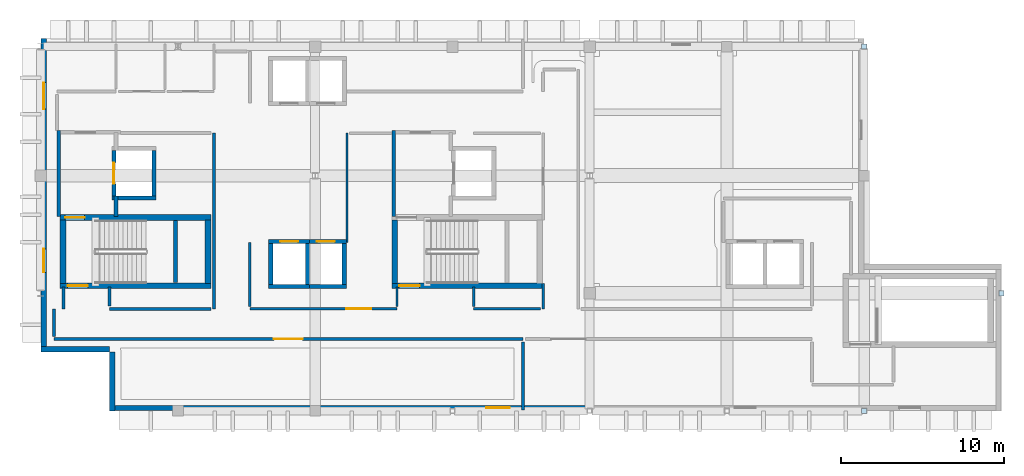
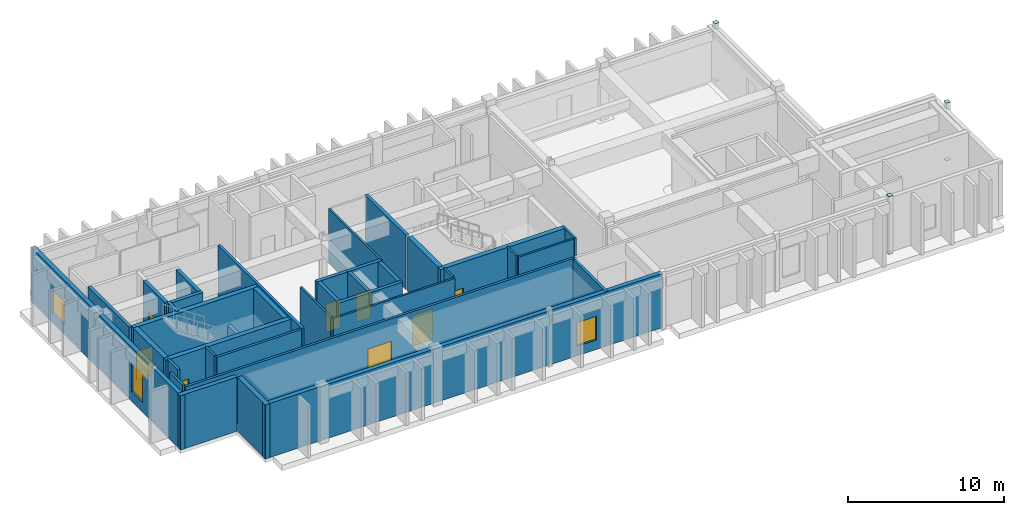
# One storey, part 4 of 8: 38 walls, 8 doors, 6 plates, 3 windows, 11 openings.
"""IFC4 building model written with IfcOpenShell, lengths in metres."""

from ifc_helpers import new_model, si_unit, direction, frame, frame_2d, origin, origin_2d, place, context, subcontext, project, spatial, rectangle, extrude, material, layer, layer_set, type_object, element, fill, save


model = new_model("IFC4")

# Units and contexts
model_context = context("Model", 3, precision=1e-05, world=origin(), true_north=direction((0.0, 1.0)))
body_context = subcontext(model_context, "Body", "Model", "MODEL_VIEW")
ifc_project = project(units=[si_unit("LENGTHUNIT", "METRE"), si_unit("AREAUNIT", "SQUARE_METRE"), si_unit("VOLUMEUNIT", "CUBIC_METRE"), si_unit("PLANEANGLEUNIT", "RADIAN"), si_unit("MASSUNIT", "GRAM", prefix="KILO")], contexts=[model_context])

# Site, building, storey
site_placement = place(None, origin())
site = spatial("IfcSite", under=ifc_project, at=site_placement, CompositionType="ELEMENT")
building_placement = place(site_placement, origin())
building = spatial("IfcBuilding", under=site, at=building_placement, Name="Quendrovan Civic Courthouse", CompositionType="ELEMENT")
storey_placement = place(building_placement, frame((0.0, 0.0, 35.699951171875)))
storey = spatial("IfcBuildingStorey", under=building, at=storey_placement, Name="L08", CompositionType="ELEMENT", Elevation=35.699951171875)

# Plates
ifc_material_1 = material(Name="Steel ASTM A572 Grade 50", Category="steel")
ifc_layer_1 = layer(ifc_material_1, 0.011962890625, Name="Steel ASTM A572 Grade 50")
ifc_layer_set_1 = layer_set([ifc_layer_1], Name="Steel ASTM A572 Grade 50")
plate_type = type_object("IfcPlateType", Name="PLT-CAP-12", PredefinedType="SHEET", material=ifc_layer_set_1)
for number, where, z_axis, x_axis, name in (
    (1, (84.0, 87.60009765625, 4.5), (0.0, 0.0, 1.0), (1.0, 0.0, 0.0), "L08 Hollow Column End Cap Plate COL-L08-11-M-TOP"),
    (2, (84.0, 87.60009765625, -0.01171875), (0.0, 0.0, 1.0), (1.0, 0.0, 0.0), "L08 Hollow Column End Cap Plate COL-L08-11-M-BOT"),
    (3, (84.0, 109.89990234375, 4.5), (0.0, 0.0, 1.0), (1.0, 0.0, 0.0), "L08 Hollow Column End Cap Plate COL-L08-11-Q-TOP"),
    (4, (84.0, 109.89990234375, -0.01171875), (0.0, 0.0, 1.0), (1.0, 0.0, 0.0), "L08 Hollow Column End Cap Plate COL-L08-11-Q-BOT"),
    (5, (92.39990234375, 94.800048828125, 4.5), (0.0, 0.0, 1.0), (1.0, 0.0, 0.0), "L08 Hollow Column End Cap Plate COL-L08-12-N-TOP"),
    (6, (92.39990234375, 94.800048828125, -0.01171875), (0.0, 0.0, 1.0), (1.0, 0.0, 0.0), "L08 Hollow Column End Cap Plate COL-L08-12-N-BOT"),
):
    element("IfcPlate", number, at=place(storey_placement, frame(where, z_axis=z_axis, x_axis=x_axis)), inside=storey, type_object=plate_type, Name=name, PredefinedType="SHEET", context=body_context, shape_type="SweptSolid", body=[
        extrude(rectangle(XDim=0.320068359375, YDim=0.320068359375, at=origin_2d()), origin(), (0.0, 0.0, 1.0), 0.011962890625),
    ])

# Wall
ifc_material_2 = material(Name="Acoustic gypsum stud partition")
ifc_layer_2 = layer(ifc_material_2, 0.139892578125, Name="Acoustic gypsum stud partition")
ifc_layer_set_2 = layer_set([ifc_layer_2], Name="Acoustic gypsum stud partition")
wall_type_1 = type_object("IfcWallType", Name="WL-CHM-140", PredefinedType="PARTITIONING", material=ifc_layer_set_2)
wall_1_placement = place(storey_placement, frame((64.35009765625, 95.39990234375, 0.0), z_axis=(0.0, 0.0, 1.0), x_axis=(0.0, -1.0, 0.0)))
element("IfcWall", 7, at=wall_1_placement, inside=storey, type_object=wall_type_1, Name="L08 Appellate Judges' Chambers Partition 0869", PredefinedType="PARTITIONING", context=body_context, shape_type="SweptSolid", body=[
    extrude(rectangle(XDim=1.5498046875, YDim=0.139892578125, at=frame_2d((0.77490234375, 0.0))), origin(), (0.0, 0.0, 1.0), 4.239990234375),
])

# Wall, opening, door
wall_2_placement = place(storey_placement, frame((55.39990234375, 93.85009765625, 0.0), z_axis=(0.0, 0.0, 1.0), x_axis=(-1.0, 0.0, 0.0)))
wall_2 = element("IfcWall", 8, at=wall_2_placement, inside=storey, type_object=wall_type_1, Name="L08 Judicial Conference Room Partition 0870", PredefinedType="PARTITIONING", context=body_context, shape_type="SweptSolid", body=[
    extrude(rectangle(XDim=9.0, YDim=0.139892578125, at=frame_2d((4.5, 0.0))), origin(), (0.0, 0.0, 1.0), 4.239990234375),
])
opening_1_placement = place(wall_2_placement, frame((1.580078125, 0.0, 0.0)))
opening_1 = element("IfcOpeningElement", 9, at=opening_1_placement, cuts=wall_2, Name="Opening D-L08-124", PredefinedType="OPENING", context=body_context, shape_type="SweptSolid", body=[
    extrude(rectangle(XDim=1.52001953125, YDim=2.39990234375, at=frame_2d((0.760009765625, 1.199951171875))), frame((0.0, 0.080078125, 0.0), z_axis=(0.0, -1.0, 0.0), x_axis=(1.0, 0.0, 0.0)), (0.0, 0.0, 1.0), 0.159912109375),
])
ifc_material_3 = material(Name="Acoustic timber double-leaf door", Category="wood")
door_type_1 = type_object("IfcDoorType", Name="DR-CONF-1520", OperationType="NOTDEFINED", PredefinedType="DOOR", material=ifc_material_3)
door_1_placement = place(opening_1_placement, origin())
door_1 = element("IfcDoor", 10, at=door_1_placement, inside=storey, type_object=door_type_1, Name="L08 Judicial Conference Room Door D-L08-124", OperationType="SINGLE_SWING_LEFT", OverallHeight=2.39990234375, OverallWidth=1.52001953125, PredefinedType="DOOR", context=body_context, shape_type="SweptSolid", body=[
    extrude(rectangle(XDim=1.52001953125, YDim=2.39990234375, at=frame_2d((0.760009765625, 1.199951171875))), frame((0.0, 0.02490234375, 0.0), z_axis=(0.0, -1.0, 0.0), x_axis=(1.0, 0.0, 0.0)), (0.0, 0.0, 1.0), 0.050048828125),
])
fill(opening_1, door_1)

# Walls
wall_3_placement = place(storey_placement, frame((52.35009765625, 97.89990234375, 0.0), z_axis=(0.0, 0.0, 1.0), x_axis=(0.0, 1.0, 0.0)))
element("IfcWall", 11, at=wall_3_placement, inside=storey, type_object=wall_type_1, Name="L08 Judicial Conference Room Partition 0872", PredefinedType="PARTITIONING", context=body_context, shape_type="SweptSolid", body=[
    extrude(rectangle(XDim=6.7001953125, YDim=0.139892578125, at=frame_2d((3.35009765625, 0.0))), origin(), (0.0, 0.0, 1.0), 4.239990234375),
])
wall_4_placement = place(storey_placement, frame((64.199951171875, 93.85009765625, 0.0), z_axis=(0.0, 0.0, 1.0), x_axis=(-1.0, 0.0, 0.0)))
element("IfcWall", 12, at=wall_4_placement, inside=storey, type_object=wall_type_1, Name="L08 Appellate Judges' Chambers Partition 0879", PredefinedType="PARTITIONING", context=body_context, shape_type="SweptSolid", body=[
    extrude(rectangle(XDim=4.099853515625, YDim=0.139892578125, at=frame_2d((2.0498046875, 0.0))), origin(), (0.0, 0.0, 1.0), 4.239990234375),
])
wall_5_placement = place(storey_placement, frame((46.39990234375, 94.0, 0.0), z_axis=(0.0, 0.0, 1.0), x_axis=(0.0, 1.0, 0.0)))
element("IfcWall", 13, at=wall_5_placement, inside=storey, type_object=wall_type_1, Name="L08 Judicial Conference Room Partition 0881", PredefinedType="PARTITIONING", context=body_context, shape_type="SweptSolid", body=[
    extrude(rectangle(XDim=3.89990234375, YDim=0.139892578125, at=frame_2d((1.949951171875, 0.0))), origin(), (0.0, 0.0, 1.0), 4.239990234375),
])
for number, where, z_axis, x_axis, name in (
    (14, (55.39990234375, 95.179931640625, 0.0), (0.0, 0.0, 1.0), (0.0, -1.0, 0.0), "L08 Judicial Conference Room Partition 0901"),
    (15, (60.10009765625, 94.0, 0.0), (0.0, 0.0, 1.0), (0.0, 1.0, 0.0), "L08 Appellate Judges' Chambers Partition 0902"),
):
    element("IfcWall", number, at=place(storey_placement, frame(where, z_axis=z_axis, x_axis=x_axis)), inside=storey, type_object=wall_type_1, Name=name, PredefinedType="PARTITIONING", context=body_context, shape_type="SweptSolid", body=[
        extrude(rectangle(XDim=1.179931640625, YDim=0.139892578125, at=frame_2d((0.58984375, 0.0))), origin(), (0.0, 0.0, 1.0), 4.239990234375),
    ])

# Wall, opening, door
ifc_material_4 = material(Name="Concrete C45/55", Category="concrete")
ifc_layer_3 = layer(ifc_material_4, 0.35009765625, Name="Concrete C45/55")
ifc_layer_set_3 = layer_set([ifc_layer_3], Name="Concrete C45/55")
wall_type_2 = type_object("IfcWallType", Name="WL-CORE-350", PredefinedType="SHEAR", material=ifc_layer_set_3)
wall_6_placement = place(storey_placement, frame((34.7900390625, 95.264892578125, 0.0), z_axis=(0.0, 0.0, 1.0), x_axis=(1.0, 0.0, 0.0)))
wall_6 = element("IfcWall", 16, at=wall_6_placement, inside=storey, type_object=wall_type_2, Name="L08 Core Shear Wall ST1-S", PredefinedType="SHEAR", context=body_context, shape_type="SweptSolid", body=[
    extrude(rectangle(XDim=9.219970703125, YDim=0.35009765625, at=frame_2d((4.60986328125, 0.0))), origin(), (0.0, 0.0, 1.0), 4.239990234375),
])
opening_2_placement = place(wall_6_placement, frame((0.449951171875, 0.0, 0.0)))
opening_2 = element("IfcOpeningElement", 17, at=opening_2_placement, cuts=wall_6, Name="Opening DS-ST1-L08", PredefinedType="OPENING", context=body_context, shape_type="SweptSolid", body=[
    extrude(rectangle(XDim=1.25, YDim=2.199951171875, at=frame_2d((0.625, 1.10009765625))), frame((0.0, 0.18505859375, 0.0), z_axis=(0.0, -1.0, 0.0), x_axis=(1.0, 0.0, 0.0)), (0.0, 0.0, 1.0), 0.3701171875),
])
ifc_material_5 = material(Name="Painted galvanized hollow-metal steel", Category="steel")
door_type_2 = type_object("IfcDoorType", Name="DR-STAIR-1250", OperationType="NOTDEFINED", PredefinedType="DOOR", material=ifc_material_5)
door_2_placement = place(opening_2_placement, origin())
door_2 = element("IfcDoor", 18, at=door_2_placement, inside=storey, type_object=door_type_2, Name="L08 Exit Stair ST1 Fire Door", OperationType="SINGLE_SWING_RIGHT", OverallHeight=2.199951171875, OverallWidth=1.25, PredefinedType="DOOR", context=body_context, shape_type="SweptSolid", body=[
    extrude(rectangle(XDim=1.25, YDim=2.199951171875, at=frame_2d((0.625, 1.10009765625))), frame((0.0, 0.02490234375, 0.0), z_axis=(0.0, -1.0, 0.0), x_axis=(1.0, 0.0, 0.0)), (0.0, 0.0, 1.0), 0.050048828125),
])
fill(opening_2, door_2)

wall_7_placement = place(storey_placement, frame((44.010009765625, 99.43505859375, 0.0), z_axis=(0.0, 0.0, 1.0), x_axis=(-1.0, 0.0, 0.0)))
wall_7 = element("IfcWall", 19, at=wall_7_placement, inside=storey, type_object=wall_type_2, Name="L08 Core Shear Wall ST1-N", PredefinedType="SHEAR", context=body_context, shape_type="SweptSolid", body=[
    extrude(rectangle(XDim=9.219970703125, YDim=0.35009765625, at=frame_2d((4.60986328125, 0.0))), origin(), (0.0, 0.0, 1.0), 4.239990234375),
])
opening_3_placement = place(wall_7_placement, frame((7.719970703125, 0.0, 0.0)))
opening_3 = element("IfcOpeningElement", 20, at=opening_3_placement, cuts=wall_7, Name="Opening DFF-ST1-L08", PredefinedType="OPENING", context=body_context, shape_type="SweptSolid", body=[
    extrude(rectangle(XDim=1.199951171875, YDim=2.199951171875, at=frame_2d((0.60009765625, 1.10009765625))), frame((0.0, 0.18505859375, 0.0), z_axis=(0.0, -1.0, 0.0), x_axis=(1.0, 0.0, 0.0)), (0.0, 0.0, 1.0), 0.3701171875),
])
door_type_3 = type_object("IfcDoorType", Name="DR-FFLOB-1200", OperationType="NOTDEFINED", PredefinedType="DOOR", material=ifc_material_5)
door_3_placement = place(opening_3_placement, origin())
door_3 = element("IfcDoor", 21, at=door_3_placement, inside=storey, type_object=door_type_3, Name="L08 Firefighting Lobby FL1 Direct Stair ST1 Door", OperationType="SINGLE_SWING_RIGHT", OverallHeight=2.199951171875, OverallWidth=1.199951171875, PredefinedType="DOOR", context=body_context, shape_type="SweptSolid", body=[
    extrude(rectangle(XDim=1.199951171875, YDim=2.199951171875, at=frame_2d((0.60009765625, 1.10009765625))), frame((0.0, 0.02490234375, 0.0), z_axis=(0.0, -1.0, 0.0), x_axis=(1.0, 0.0, 0.0)), (0.0, 0.0, 1.0), 0.050048828125),
])
fill(opening_3, door_3)

# Walls
for number, where, z_axis, x_axis, name in (
    (22, (34.965087890625, 95.39990234375, 0.0), (0.0, 0.0, 1.0), (0.0, 1.0, 0.0), "L08 Core Shear Wall ST1-W"),
    (23, (43.8349609375, 99.300048828125, 0.0), (0.0, 0.0, 1.0), (0.0, -1.0, 0.0), "L08 Core Shear Wall ST1-E"),
):
    element("IfcWall", number, at=place(storey_placement, frame(where, z_axis=z_axis, x_axis=x_axis)), inside=storey, type_object=wall_type_2, Name=name, PredefinedType="SHEAR", context=body_context, shape_type="SweptSolid", body=[
        extrude(rectangle(XDim=3.900146484375, YDim=0.35009765625, at=frame_2d((1.9501953125, 0.0))), origin(), (0.0, 0.0, 1.0), 4.239990234375),
    ])

# Wall, opening, door
wall_8_placement = place(storey_placement, frame((55.090087890625, 95.264892578125, 0.0), z_axis=(0.0, 0.0, 1.0), x_axis=(1.0, 0.0, 0.0)))
wall_8 = element("IfcWall", 24, at=wall_8_placement, inside=storey, type_object=wall_type_2, Name="L08 Core Shear Wall ST2-S", PredefinedType="SHEAR", context=body_context, shape_type="SweptSolid", body=[
    extrude(rectangle(XDim=9.219970703125, YDim=0.35009765625, at=frame_2d((4.60986328125, 0.0))), origin(), (0.0, 0.0, 1.0), 4.239990234375),
])
opening_4_placement = place(wall_8_placement, frame((0.449951171875, 0.0, 0.0)))
opening_4 = element("IfcOpeningElement", 25, at=opening_4_placement, cuts=wall_8, Name="Opening DS-ST2-L08", PredefinedType="OPENING", context=body_context, shape_type="SweptSolid", body=[
    extrude(rectangle(XDim=1.25, YDim=2.199951171875, at=frame_2d((0.625, 1.10009765625))), frame((0.0, 0.18505859375, 0.0), z_axis=(0.0, -1.0, 0.0), x_axis=(1.0, 0.0, 0.0)), (0.0, 0.0, 1.0), 0.3701171875),
])
door_4_placement = place(opening_4_placement, origin())
door_4 = element("IfcDoor", 26, at=door_4_placement, inside=storey, type_object=door_type_2, Name="L08 Exit Stair ST2 Fire Door", OperationType="SINGLE_SWING_LEFT", OverallHeight=2.199951171875, OverallWidth=1.25, PredefinedType="DOOR", context=body_context, shape_type="SweptSolid", body=[
    extrude(rectangle(XDim=1.25, YDim=2.199951171875, at=frame_2d((0.625, 1.10009765625))), frame((0.0, 0.02490234375, 0.0), z_axis=(0.0, -1.0, 0.0), x_axis=(1.0, 0.0, 0.0)), (0.0, 0.0, 1.0), 0.050048828125),
])
fill(opening_4, door_4)

# Wall
wall_9_placement = place(storey_placement, frame((55.264892578125, 95.39990234375, 0.0), z_axis=(0.0, 0.0, 1.0), x_axis=(0.0, 1.0, 0.0)))
element("IfcWall", 27, at=wall_9_placement, inside=storey, type_object=wall_type_2, Name="L08 Core Shear Wall ST2-W", PredefinedType="SHEAR", context=body_context, shape_type="SweptSolid", body=[
    extrude(rectangle(XDim=3.900146484375, YDim=0.35009765625, at=frame_2d((1.9501953125, 0.0))), origin(), (0.0, 0.0, 1.0), 4.239990234375),
])

# Wall, opening, door
ifc_material_6 = material(Name="Acoustic gypsum and mineral wool partition")
ifc_layer_4 = layer(ifc_material_6, 0.179931640625, Name="Acoustic gypsum and mineral wool partition")
ifc_layer_set_4 = layer_set([ifc_layer_4], Name="Acoustic gypsum and mineral wool partition")
wall_type_3 = type_object("IfcWallType", Name="WL-CRT-AC180", PredefinedType="PARTITIONING", material=ifc_layer_set_4)
wall_10_placement = place(storey_placement, frame((34.39990234375, 92.0, 0.0), z_axis=(0.0, 0.0, 1.0), x_axis=(1.0, 0.0, 0.0)))
wall_10 = element("IfcWall", 28, at=wall_10_placement, inside=storey, type_object=wall_type_3, Name="L08 Special Proceedings Courtroom Partition 0862", PredefinedType="PARTITIONING", context=body_context, shape_type="SweptSolid", body=[
    extrude(rectangle(XDim=28.710205078125, YDim=0.179931640625, at=frame_2d((14.35498046875, 0.0))), origin(), (0.0, 0.0, 1.0), 4.239990234375),
])
opening_5_placement = place(wall_10_placement, frame((13.47509765625, 0.0, 0.0)))
opening_5 = element("IfcOpeningElement", 29, at=opening_5_placement, cuts=wall_10, Name="Opening D-L08-122", PredefinedType="OPENING", context=body_context, shape_type="SweptSolid", body=[
    extrude(rectangle(XDim=1.760009765625, YDim=2.47998046875, at=frame_2d((0.8798828125, 1.239990234375))), frame((0.0, 0.10009765625, 0.0), z_axis=(0.0, -1.0, 0.0), x_axis=(1.0, 0.0, 0.0)), (0.0, 0.0, 1.0), 0.199951171875),
])
ifc_material_7 = material(Name="Acoustic solid Western Red Cedar timber door", Category="wood")
door_type_4 = type_object("IfcDoorType", Name="DR-CRT-DBL1760", OperationType="NOTDEFINED", PredefinedType="DOOR", material=ifc_material_7)
door_5_placement = place(opening_5_placement, origin())
door_5 = element("IfcDoor", 30, at=door_5_placement, inside=storey, type_object=door_type_4, Name="L08 Special Proceedings Courtroom Door D-L08-122", OperationType="SINGLE_SWING_LEFT", OverallHeight=2.47998046875, OverallWidth=1.760009765625, PredefinedType="DOOR", context=body_context, shape_type="SweptSolid", body=[
    extrude(rectangle(XDim=1.760009765625, YDim=2.47998046875, at=frame_2d((0.8798828125, 1.239990234375))), frame((0.0, 0.02490234375, 0.0), z_axis=(0.0, -1.0, 0.0), x_axis=(1.0, 0.0, 0.0)), (0.0, 0.0, 1.0), 0.050048828125),
])
fill(opening_5, door_5)

# Walls
wall_11_placement = place(storey_placement, frame((44.199951171875, 104.60009765625, 0.0), z_axis=(0.0, 0.0, 1.0), x_axis=(0.0, -1.0, 0.0)))
element("IfcWall", 31, at=wall_11_placement, inside=storey, type_object=wall_type_3, Name="L08 Special Proceedings Courtroom Partition 0867", PredefinedType="PARTITIONING", context=body_context, shape_type="SweptSolid", body=[
    extrude(rectangle(XDim=10.75, YDim=0.179931640625, at=frame_2d((5.375, 0.0))), origin(), (0.0, 0.0, 1.0), 4.239990234375),
])
wall_12_placement = place(storey_placement, frame((44.030029296875, 93.85009765625, 0.0), z_axis=(0.0, 0.0, 1.0), x_axis=(-1.0, 0.0, 0.0)))
element("IfcWall", 32, at=wall_12_placement, inside=storey, type_object=wall_type_3, Name="L08 Special Proceedings Courtroom Partition 0873", PredefinedType="PARTITIONING", context=body_context, shape_type="SweptSolid", body=[
    extrude(rectangle(XDim=6.22998046875, YDim=0.179931640625, at=frame_2d((3.114990234375, 0.0))), origin(), (0.0, 0.0, 1.0), 4.239990234375),
])
wall_13_placement = place(storey_placement, frame((63.110107421875, 91.830078125, 0.0), z_axis=(0.0, 0.0, 1.0), x_axis=(0.0, -1.0, 0.0)))
element("IfcWall", 33, at=wall_13_placement, inside=storey, type_object=wall_type_3, Name="L08 Special Proceedings Courtroom Partition 0877", PredefinedType="PARTITIONING", context=body_context, shape_type="SweptSolid", body=[
    extrude(rectangle(XDim=4.170166015625, YDim=0.179931640625, at=frame_2d((2.0849609375, 0.0))), origin(), (0.0, 0.0, 1.0), 4.239990234375),
])
wall_14_placement = place(storey_placement, frame((34.39990234375, 93.85009765625, 0.0), z_axis=(0.0, 0.0, 1.0), x_axis=(0.0, -1.0, 0.0)))
element("IfcWall", 34, at=wall_14_placement, inside=storey, type_object=wall_type_3, Name="L08 Special Proceedings Courtroom Partition 0897", PredefinedType="PARTITIONING", context=body_context, shape_type="SweptSolid", body=[
    extrude(rectangle(XDim=1.68017578125, YDim=0.179931640625, at=frame_2d((0.840087890625, 0.0))), origin(), (0.0, 0.0, 1.0), 4.239990234375),
])
wall_15_placement = place(storey_placement, frame((37.800048828125, 94.02001953125, 0.0), z_axis=(0.0, 0.0, 1.0), x_axis=(0.0, 1.0, 0.0)))
element("IfcWall", 35, at=wall_15_placement, inside=storey, type_object=wall_type_3, Name="L08 Special Proceedings Courtroom Partition 0899", PredefinedType="PARTITIONING", context=body_context, shape_type="SweptSolid", body=[
    extrude(rectangle(XDim=1.159912109375, YDim=0.179931640625, at=frame_2d((0.580078125, 0.0))), origin(), (0.0, 0.0, 1.0), 4.239990234375),
])
wall_16_placement = place(storey_placement, frame((35.0, 95.179931640625, 0.0), z_axis=(0.0, 0.0, 1.0), x_axis=(0.0, -1.0, 0.0)))
element("IfcWall", 36, at=wall_16_placement, inside=storey, type_object=wall_type_3, Name="L08 Special Proceedings Courtroom Partition 0900", PredefinedType="PARTITIONING", context=body_context, shape_type="SweptSolid", body=[
    extrude(rectangle(XDim=1.329833984375, YDim=0.179931640625, at=frame_2d((0.6650390625, 0.0))), origin(), (0.0, 0.0, 1.0), 4.239990234375),
])

# Wall, opening, window
ifc_material_8 = material(Name="Precast concrete C45/55", Category="concrete")
ifc_layer_5 = layer(ifc_material_8, 0.320068359375, Name="Precast concrete C45/55")
ifc_layer_set_5 = layer_set([ifc_layer_5], Name="Precast concrete C45/55")
wall_type_4 = type_object("IfcWallType", Name="WL-EXT-PC320", PredefinedType="SOLIDWALL", material=ifc_layer_set_5)
wall_17_placement = place(storey_placement, frame((67.199951171875, 87.780029296875, 0.0), z_axis=(0.0, 0.0, 1.0), x_axis=(-1.0, 0.0, 0.0)))
wall_17 = element("IfcWall", 37, at=wall_17_placement, inside=storey, type_object=wall_type_4, Name="L08 Exterior Precast Concrete Wall 518", PredefinedType="SOLIDWALL", context=body_context, shape_type="SweptSolid", body=[
    extrude(rectangle(XDim=29.39990234375, YDim=0.320068359375, at=frame_2d((14.699951171875, 0.0))), origin(), (0.0, 0.0, 1.0), 4.239990234375),
])
opening_6_placement = place(wall_17_placement, frame((4.8798828125, 0.0, 0.75)))
opening_6 = element("IfcOpeningElement", 38, at=opening_6_placement, cuts=wall_17, Name="Opening W26", PredefinedType="OPENING", context=body_context, shape_type="SweptSolid", body=[
    extrude(rectangle(XDim=1.43994140625, YDim=1.85009765625, at=frame_2d((0.719970703125, 0.925048828125))), frame((0.0, 0.169921875, 0.0), z_axis=(0.0, -1.0, 0.0), x_axis=(1.0, 0.0, 0.0)), (0.0, 0.0, 1.0), 0.340087890625),
])
ifc_material_9 = material(Name="Laminated hurricane-impact low-E glass", Category="glass")
window_type_1 = type_object("IfcWindowType", Name="WIN-SLT-26", PartitioningType="SINGLE_PANEL", PredefinedType="WINDOW", material=ifc_material_9)
window_1_placement = place(opening_6_placement, origin())
window_1 = element("IfcWindow", 39, at=window_1_placement, inside=storey, type_object=window_type_1, Name="L08 Courtroom Shaded Slot Window 0057", OverallHeight=1.85009765625, OverallWidth=1.43994140625, PartitioningType="SINGLE_PANEL", PredefinedType="WINDOW", context=body_context, shape_type="SweptSolid", body=[
    extrude(rectangle(XDim=1.43994140625, YDim=1.85009765625, at=frame_2d((0.719970703125, 0.925048828125))), frame((0.0, 0.030029296875, 0.0), z_axis=(0.0, -1.0, 0.0), x_axis=(1.0, 0.0, 0.0)), (0.0, 0.0, 1.0), 0.06005859375),
])
fill(opening_6, window_1)

# Walls
wall_18_placement = place(storey_placement, frame((37.97998046875, 87.60009765625, 0.0), z_axis=(0.0, 0.0, 1.0), x_axis=(0.0, 1.0, 0.0)))
element("IfcWall", 40, at=wall_18_placement, inside=storey, type_object=wall_type_4, Name="L08 Exterior Precast Concrete Wall 519", PredefinedType="SOLIDWALL", context=body_context, shape_type="SweptSolid", body=[
    extrude(rectangle(XDim=3.599853515625, YDim=0.320068359375, at=frame_2d((1.7998046875, 0.0))), origin(), (0.0, 0.0, 1.0), 4.239990234375),
])
wall_19_placement = place(storey_placement, frame((37.800048828125, 91.3798828125, 0.0), z_axis=(0.0, 0.0, 1.0), x_axis=(-1.0, 0.0, 0.0)))
element("IfcWall", 41, at=wall_19_placement, inside=storey, type_object=wall_type_4, Name="L08 Exterior Precast Concrete Wall 520", PredefinedType="SOLIDWALL", context=body_context, shape_type="SweptSolid", body=[
    extrude(rectangle(XDim=4.199951171875, YDim=0.320068359375, at=frame_2d((2.10009765625, 0.0))), origin(), (0.0, 0.0, 1.0), 4.239990234375),
])

# Wall, openings, windows
wall_20_placement = place(storey_placement, frame((33.780029296875, 91.199951171875, 0.0), z_axis=(0.0, 0.0, 1.0), x_axis=(0.0, 1.0, 0.0)))
wall_20 = element("IfcWall", 42, at=wall_20_placement, inside=storey, type_object=wall_type_4, Name="L08 Exterior Precast Concrete Wall 521", PredefinedType="SOLIDWALL", context=body_context, shape_type="SweptSolid", body=[
    extrude(rectangle(XDim=19.199951171875, YDim=0.320068359375, at=frame_2d((9.60009765625, 0.0))), origin(), (0.0, 0.0, 1.0), 4.239990234375),
])
opening_7_placement = place(wall_20_placement, frame((4.8798828125, 0.0, 0.75)))
opening_7 = element("IfcOpeningElement", 43, at=opening_7_placement, cuts=wall_20, Name="Opening W27", PredefinedType="OPENING", context=body_context, shape_type="SweptSolid", body=[
    extrude(rectangle(XDim=1.43994140625, YDim=2.25, at=frame_2d((0.719970703125, 1.125))), frame((0.0, 0.169921875, 0.0), z_axis=(0.0, -1.0, 0.0), x_axis=(1.0, 0.0, 0.0)), (0.0, 0.0, 1.0), 0.340087890625),
])
opening_8_placement = place(wall_20_placement, frame((14.8701171875, 0.0, 0.75)))
opening_8 = element("IfcOpeningElement", 44, at=opening_8_placement, cuts=wall_20, Name="Opening W31", PredefinedType="OPENING", context=body_context, shape_type="SweptSolid", body=[
    extrude(rectangle(XDim=1.6201171875, YDim=1.85009765625, at=frame_2d((0.81005859375, 0.925048828125))), frame((0.0, 0.169921875, 0.0), z_axis=(0.0, -1.0, 0.0), x_axis=(1.0, 0.0, 0.0)), (0.0, 0.0, 1.0), 0.340087890625),
])
window_type_2 = type_object("IfcWindowType", Name="WIN-SLT-27", PartitioningType="SINGLE_PANEL", PredefinedType="WINDOW", material=ifc_material_9)
window_2_placement = place(opening_7_placement, origin())
window_2 = element("IfcWindow", 45, at=window_2_placement, inside=storey, type_object=window_type_2, Name="L08 Courtroom Shaded Slot Window 0058", OverallHeight=2.25, OverallWidth=1.43994140625, PartitioningType="SINGLE_PANEL", PredefinedType="WINDOW", context=body_context, shape_type="SweptSolid", body=[
    extrude(rectangle(XDim=1.43994140625, YDim=2.25, at=frame_2d((0.719970703125, 1.125))), frame((0.0, 0.030029296875, 0.0), z_axis=(0.0, -1.0, 0.0), x_axis=(1.0, 0.0, 0.0)), (0.0, 0.0, 1.0), 0.06005859375),
])
fill(opening_7, window_2)
window_type_3 = type_object("IfcWindowType", Name="WIN-SLT-31", PartitioningType="SINGLE_PANEL", PredefinedType="WINDOW", material=ifc_material_9)
window_3_placement = place(opening_8_placement, origin())
window_3 = element("IfcWindow", 46, at=window_3_placement, inside=storey, type_object=window_type_3, Name="L08 Courtroom Shaded Slot Window 0059", OverallHeight=1.85009765625, OverallWidth=1.6201171875, PartitioningType="SINGLE_PANEL", PredefinedType="WINDOW", context=body_context, shape_type="SweptSolid", body=[
    extrude(rectangle(XDim=1.6201171875, YDim=1.85009765625, at=frame_2d((0.81005859375, 0.925048828125))), frame((0.0, 0.030029296875, 0.0), z_axis=(0.0, -1.0, 0.0), x_axis=(1.0, 0.0, 0.0)), (0.0, 0.0, 1.0), 0.06005859375),
])
fill(opening_8, window_3)

# Walls
ifc_material_10 = material(Name="Concrete C40/50", Category="concrete")
ifc_layer_6 = layer(ifc_material_10, 0.22998046875, Name="Concrete C40/50")
ifc_layer_set_6 = layer_set([ifc_layer_6], Name="Concrete C40/50")
wall_type_5 = type_object("IfcWallType", Name="WL-FFLOB-230", PredefinedType="PARTITIONING", material=ifc_layer_set_6)
wall_21_placement = place(storey_placement, frame((34.699951171875, 99.5, 0.0), z_axis=(0.0, 0.0, 1.0), x_axis=(0.0, 1.0, 0.0)))
element("IfcWall", 47, at=wall_21_placement, inside=storey, type_object=wall_type_5, Name="L08 Firefighting Lift Lobby FL1 Wall W", PredefinedType="PARTITIONING", context=body_context, shape_type="SweptSolid", body=[
    extrude(rectangle(XDim=5.260009765625, YDim=0.22998046875, at=frame_2d((2.6298828125, 0.0))), origin(), (0.0, 0.0, 1.0), 4.239990234375),
])
wall_22_placement = place(storey_placement, frame((38.199951171875, 100.75, 0.0), z_axis=(0.0, 0.0, 1.0), x_axis=(0.0, -1.0, 0.0)))
element("IfcWall", 48, at=wall_22_placement, inside=storey, type_object=wall_type_5, Name="L08 Firefighting Lift Lobby FL1 Wall ES", PredefinedType="PARTITIONING", context=body_context, shape_type="SweptSolid", body=[
    extrude(rectangle(XDim=1.25, YDim=0.22998046875, at=frame_2d((0.625, 0.0))), origin(), (0.0, 0.0, 1.0), 4.239990234375),
])
wall_23_placement = place(storey_placement, frame((55.199951171875, 99.5, 0.0), z_axis=(0.0, 0.0, 1.0), x_axis=(0.0, 1.0, 0.0)))
element("IfcWall", 49, at=wall_23_placement, inside=storey, type_object=wall_type_5, Name="L08 Firefighting Lift Lobby FL2 Wall W", PredefinedType="PARTITIONING", context=body_context, shape_type="SweptSolid", body=[
    extrude(rectangle(XDim=5.260009765625, YDim=0.22998046875, at=frame_2d((2.6298828125, 0.0))), origin(), (0.0, 0.0, 1.0), 4.239990234375),
])
ifc_layer_7 = layer(ifc_material_4, 0.25, Name="Concrete C45/55")
ifc_layer_set_7 = layer_set([ifc_layer_7], Name="Concrete C45/55")
wall_type_6 = type_object("IfcWallType", Name="WL-SHAFT-250", PredefinedType="SHEAR", material=ifc_layer_set_7)
wall_24_placement = place(storey_placement, frame((41.85009765625, 95.449951171875, 0.0), z_axis=(0.0, 0.0, 1.0), x_axis=(0.0, 1.0, 0.0)))
element("IfcWall", 50, at=wall_24_placement, inside=storey, type_object=wall_type_6, Name="L08 Stair ST1 Mid-Landing Bearing Wall", PredefinedType="SHEAR", context=body_context, shape_type="SweptSolid", body=[
    extrude(rectangle(XDim=3.800048828125, YDim=0.25, at=frame_2d((1.89990234375, 0.0))), origin(), (0.0, 0.0, 1.0), 2.070068359375),
])
wall_25_placement = place(storey_placement, frame((47.550048828125, 95.22509765625, 0.0), z_axis=(0.0, 0.0, 1.0), x_axis=(1.0, 0.0, 0.0)))
element("IfcWall", 51, at=wall_25_placement, inside=storey, type_object=wall_type_6, Name="L08 Lift Hoistway Wall PL3 -Y", PredefinedType="SHEAR", context=body_context, shape_type="SweptSolid", body=[
    extrude(rectangle(XDim=2.5, YDim=0.25, at=frame_2d((1.25, 0.0))), origin(), (0.0, 0.0, 1.0), 4.239990234375),
])

# Wall, opening, door
wall_26_placement = place(storey_placement, frame((50.050048828125, 97.97509765625, 0.0), z_axis=(0.0, 0.0, 1.0), x_axis=(-1.0, 0.0, 0.0)))
wall_26 = element("IfcWall", 52, at=wall_26_placement, inside=storey, type_object=wall_type_6, Name="L08 Lift Hoistway Wall PL3 +Y", PredefinedType="SHEAR", context=body_context, shape_type="SweptSolid", body=[
    extrude(rectangle(XDim=2.5, YDim=0.25, at=frame_2d((1.25, 0.0))), origin(), (0.0, 0.0, 1.0), 4.239990234375),
])
opening_9_placement = place(wall_26_placement, frame((0.699951171875, 0.0, 0.0)))
opening_9 = element("IfcOpeningElement", 53, at=opening_9_placement, cuts=wall_26, Name="Opening LD-PL3-L08", PredefinedType="OPENING", context=body_context, shape_type="SweptSolid", body=[
    extrude(rectangle(XDim=1.10009765625, YDim=2.199951171875, at=frame_2d((0.550048828125, 1.10009765625))), frame((0.0, 0.135009765625, 0.0), z_axis=(0.0, -1.0, 0.0), x_axis=(1.0, 0.0, 0.0)), (0.0, 0.0, 1.0), 0.27001953125),
])
ifc_material_11 = material(Name="Brushed bronze-anodised stainless steel", Category="steel")
door_type_5 = type_object("IfcDoorType", Name="DR-LIFT-LD-PL", OperationType="NOTDEFINED", PredefinedType="DOOR", material=ifc_material_11)
door_6_placement = place(opening_9_placement, origin())
door_6 = element("IfcDoor", 54, at=door_6_placement, inside=storey, type_object=door_type_5, Name="L08 Lift PL3 Sliding Landing Door", OperationType="SLIDING_TO_LEFT", OverallHeight=2.199951171875, OverallWidth=1.10009765625, PredefinedType="DOOR", context=body_context, shape_type="SweptSolid", body=[
    extrude(rectangle(XDim=1.10009765625, YDim=2.199951171875, at=frame_2d((0.550048828125, 1.10009765625))), frame((0.0, 0.02490234375, 0.0), z_axis=(0.0, -1.0, 0.0), x_axis=(1.0, 0.0, 0.0)), (0.0, 0.0, 1.0), 0.050048828125),
])
fill(opening_9, door_6)

# Walls
for number, where, z_axis, x_axis, name in (
    (55, (47.675048828125, 95.35009765625, 0.0), (0.0, 0.0, 1.0), (0.0, 1.0, 0.0), "L08 Lift Hoistway Wall PL3 -X"),
    (56, (49.925048828125, 97.85009765625, 0.0), (0.0, 0.0, 1.0), (0.0, -1.0, 0.0), "L08 Lift Hoistway Wall PL3 +X"),
    (57, (49.800048828125, 95.22509765625, 0.0), (0.0, 0.0, 1.0), (1.0, 0.0, 0.0), "L08 Lift Hoistway Wall PL4 -Y"),
):
    element("IfcWall", number, at=place(storey_placement, frame(where, z_axis=z_axis, x_axis=x_axis)), inside=storey, type_object=wall_type_6, Name=name, PredefinedType="SHEAR", context=body_context, shape_type="SweptSolid", body=[
        extrude(rectangle(XDim=2.5, YDim=0.25, at=frame_2d((1.25, 0.0))), origin(), (0.0, 0.0, 1.0), 4.239990234375),
    ])

# Wall, opening, door
wall_27_placement = place(storey_placement, frame((52.300048828125, 97.97509765625, 0.0), z_axis=(0.0, 0.0, 1.0), x_axis=(-1.0, 0.0, 0.0)))
wall_27 = element("IfcWall", 58, at=wall_27_placement, inside=storey, type_object=wall_type_6, Name="L08 Lift Hoistway Wall PL4 +Y", PredefinedType="SHEAR", context=body_context, shape_type="SweptSolid", body=[
    extrude(rectangle(XDim=2.5, YDim=0.25, at=frame_2d((1.25, 0.0))), origin(), (0.0, 0.0, 1.0), 4.239990234375),
])
opening_10_placement = place(wall_27_placement, frame((0.699951171875, 0.0, 0.0)))
opening_10 = element("IfcOpeningElement", 59, at=opening_10_placement, cuts=wall_27, Name="Opening LD-PL4-L08", PredefinedType="OPENING", context=body_context, shape_type="SweptSolid", body=[
    extrude(rectangle(XDim=1.10009765625, YDim=2.199951171875, at=frame_2d((0.550048828125, 1.10009765625))), frame((0.0, 0.135009765625, 0.0), z_axis=(0.0, -1.0, 0.0), x_axis=(1.0, 0.0, 0.0)), (0.0, 0.0, 1.0), 0.27001953125),
])
door_7_placement = place(opening_10_placement, origin())
door_7 = element("IfcDoor", 60, at=door_7_placement, inside=storey, type_object=door_type_5, Name="L08 Lift PL4 Sliding Landing Door", OperationType="SLIDING_TO_LEFT", OverallHeight=2.199951171875, OverallWidth=1.10009765625, PredefinedType="DOOR", context=body_context, shape_type="SweptSolid", body=[
    extrude(rectangle(XDim=1.10009765625, YDim=2.199951171875, at=frame_2d((0.550048828125, 1.10009765625))), frame((0.0, 0.02490234375, 0.0), z_axis=(0.0, -1.0, 0.0), x_axis=(1.0, 0.0, 0.0)), (0.0, 0.0, 1.0), 0.050048828125),
])
fill(opening_10, door_7)

# Walls
wall_28_placement = place(storey_placement, frame((52.175048828125, 97.85009765625, 0.0), z_axis=(0.0, 0.0, 1.0), x_axis=(0.0, -1.0, 0.0)))
element("IfcWall", 61, at=wall_28_placement, inside=storey, type_object=wall_type_6, Name="L08 Lift Hoistway Wall PL4 +X", PredefinedType="SHEAR", context=body_context, shape_type="SweptSolid", body=[
    extrude(rectangle(XDim=2.5, YDim=0.25, at=frame_2d((1.25, 0.0))), origin(), (0.0, 0.0, 1.0), 4.239990234375),
])
wall_29_placement = place(storey_placement, frame((37.949951171875, 100.625, 0.0), z_axis=(0.0, 0.0, 1.0), x_axis=(1.0, 0.0, 0.0)))
element("IfcWall", 62, at=wall_29_placement, inside=storey, type_object=wall_type_6, Name="L08 Lift Hoistway Wall FL1 -Y", PredefinedType="SHEAR", context=body_context, shape_type="SweptSolid", body=[
    extrude(rectangle(XDim=2.699951171875, YDim=0.25, at=frame_2d((1.35009765625, 0.0))), origin(), (0.0, 0.0, 1.0), 4.239990234375),
])

# Wall, opening, door
wall_30_placement = place(storey_placement, frame((38.074951171875, 100.75, 0.0), z_axis=(0.0, 0.0, 1.0), x_axis=(0.0, 1.0, 0.0)))
wall_30 = element("IfcWall", 63, at=wall_30_placement, inside=storey, type_object=wall_type_6, Name="L08 Lift Hoistway Wall FL1 -X", PredefinedType="SHEAR", context=body_context, shape_type="SweptSolid", body=[
    extrude(rectangle(XDim=2.800048828125, YDim=0.25, at=frame_2d((1.39990234375, 0.0))), origin(), (0.0, 0.0, 1.0), 4.239990234375),
])
opening_11_placement = place(wall_30_placement, frame((0.75, 0.0, 0.0)))
opening_11 = element("IfcOpeningElement", 64, at=opening_11_placement, cuts=wall_30, Name="Opening LD-FL1-L08", PredefinedType="OPENING", context=body_context, shape_type="SweptSolid", body=[
    extrude(rectangle(XDim=1.300048828125, YDim=2.25, at=frame_2d((0.64990234375, 1.125))), frame((0.0, 0.135009765625, 0.0), z_axis=(0.0, -1.0, 0.0), x_axis=(1.0, 0.0, 0.0)), (0.0, 0.0, 1.0), 0.27001953125),
])
ifc_material_12 = material(Name="Smoke-tight fire-service stainless steel", Category="steel")
door_type_6 = type_object("IfcDoorType", Name="DR-LIFT-LD-FL", OperationType="NOTDEFINED", PredefinedType="DOOR", material=ifc_material_12)
door_8_placement = place(opening_11_placement, origin())
door_8 = element("IfcDoor", 65, at=door_8_placement, inside=storey, type_object=door_type_6, Name="L08 Lift FL1 Sliding Landing Door", OperationType="SLIDING_TO_LEFT", OverallHeight=2.25, OverallWidth=1.300048828125, PredefinedType="DOOR", context=body_context, shape_type="SweptSolid", body=[
    extrude(rectangle(XDim=1.300048828125, YDim=2.25, at=frame_2d((0.64990234375, 1.125))), frame((0.0, 0.02490234375, 0.0), z_axis=(0.0, -1.0, 0.0), x_axis=(1.0, 0.0, 0.0)), (0.0, 0.0, 1.0), 0.050048828125),
])
fill(opening_11, door_8)

# Wall
wall_31_placement = place(storey_placement, frame((40.52490234375, 103.550048828125, 0.0), z_axis=(0.0, 0.0, 1.0), x_axis=(0.0, -1.0, 0.0)))
element("IfcWall", 66, at=wall_31_placement, inside=storey, type_object=wall_type_6, Name="L08 Lift Hoistway Wall FL1 +X", PredefinedType="SHEAR", context=body_context, shape_type="SweptSolid", body=[
    extrude(rectangle(XDim=2.800048828125, YDim=0.25, at=frame_2d((1.39990234375, 0.0))), origin(), (0.0, 0.0, 1.0), 4.239990234375),
])

save(model, "model.ifc")
